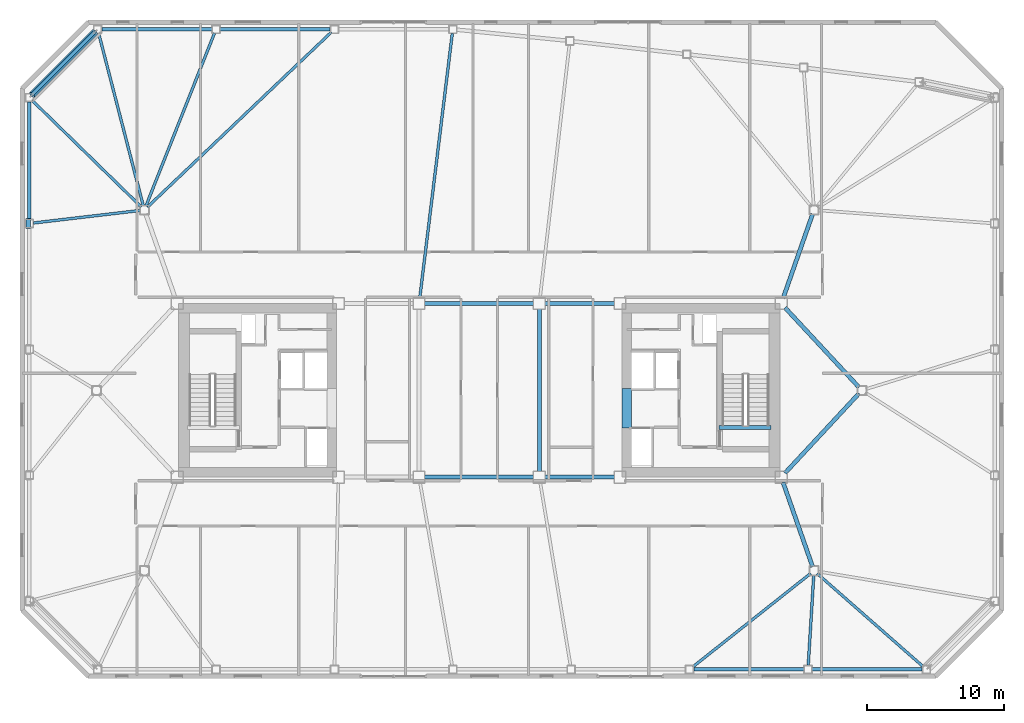
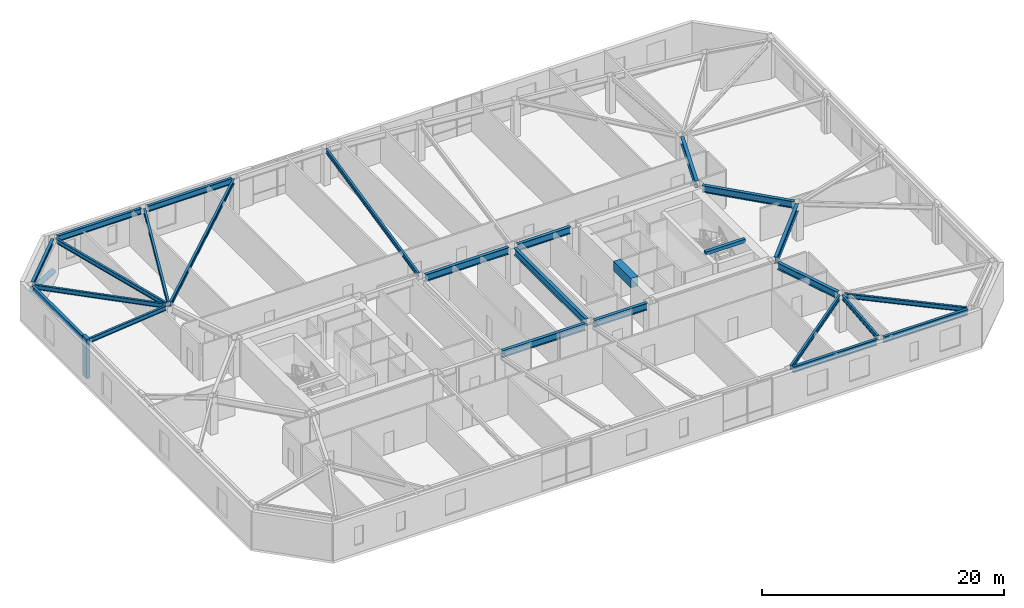
# One storey, part 5 of 18: 26 beams, 2 members.
"""IFC4 building model written with IfcOpenShell, lengths in metres."""

from ifc_helpers import new_model, si_unit, direction, frame, origin, origin_2d, place, context, subcontext, project, spatial, rectangle, hollow_circle, i_section, extrude, material, material_profile, profile_set, type_object, element, save


model = new_model("IFC4")

# Units and contexts
model_context = context("Model", 3, precision=1e-05, world=origin(), true_north=direction((0.0, 1.0)))
body_context = subcontext(model_context, "Body", "Model", "MODEL_VIEW")
ifc_project = project(units=[si_unit("LENGTHUNIT", "METRE"), si_unit("AREAUNIT", "SQUARE_METRE"), si_unit("VOLUMEUNIT", "CUBIC_METRE"), si_unit("PLANEANGLEUNIT", "RADIAN"), si_unit("MASSUNIT", "GRAM", prefix="KILO")], contexts=[model_context])

# Site, building, storey
site_placement = place(None, origin())
site = spatial("IfcSite", under=ifc_project, at=site_placement, CompositionType="ELEMENT")
building_placement = place(site_placement, origin())
building = spatial("IfcBuilding", under=site, at=building_placement, Name="Tavrogorsk Clinical Tower", CompositionType="ELEMENT")
storey_placement = place(building_placement, frame((0.0, 0.0, 196.199951171875)))
storey = spatial("IfcBuildingStorey", under=building, at=storey_placement, Name="L45", CompositionType="ELEMENT", Elevation=196.199951171875)

# Beam
ifc_material_1 = material(Name="Concrete B80", Category="concrete")
ifc_material_profile_1 = material_profile(ifc_material_1, rectangle(XDim=0.699951171875, YDim=0.949951171875, at=origin_2d()), Name="RC-CB-700x950")
ifc_profile_set_1 = profile_set([ifc_material_profile_1], Name="Concrete B80")
beam_type_1 = type_object("IfcBeamType", Name="CouplingBeam_RC700x950", PredefinedType="LINTEL", material=ifc_profile_set_1)
beam_1_placement = place(storey_placement, frame((10.800048828125, -2.75, 3.26513671875), z_axis=(0.0, 1.0, 0.0), x_axis=(-1.0, 0.0, 0.0)))
element("IfcBeam", 1, at=beam_1_placement, inside=storey, type_object=beam_type_1, Name="L45 Core East Coupling Beam", PredefinedType="LINTEL", context=body_context, shape_type="SweptSolid", body=[
    extrude(rectangle(XDim=0.699951171875, YDim=0.949951171875, at=origin_2d()), origin(), (0.0, 0.0, 1.0), 2.89990234375),
])

# Member
ifc_material_2 = material(Name="Structural steel S440", Category="steel")
ifc_material_profile_2 = material_profile(ifc_material_2, hollow_circle(Radius=0.25390625, WallThickness=0.02001953125, at=origin_2d()), Name="CHS-508x20")
ifc_profile_set_2 = profile_set([ifc_material_profile_2], Name="Structural steel S440")
member_type_1 = type_object("IfcMemberType", Name="ExoBrace_CHS508", PredefinedType="BRACE", material=ifc_profile_set_2)
member_1_placement = place(storey_placement, frame((-28.12255859375, 26.217529296875, 0.4130859375), z_axis=(-0.657758524103, -0.657758524103, 0.367025132572), x_axis=(0.707106781187, -0.707106781187, 0.0)))
element("IfcMember", 2, at=member_1_placement, inside=storey, type_object=member_type_1, Name="L45 Corner Exoskeleton Brace N8-W1", PredefinedType="BRACE", context=body_context, shape_type="SweptSolid", body=[
    extrude(hollow_circle(Radius=0.25390625, WallThickness=0.02001953125, at=origin_2d()), origin(), (0.0, 0.0, 1.0), 6.98583984375),
])

# Beams
ifc_material_3 = material(Name="Structural steel S355", Category="steel")
ifc_material_profile_3 = material_profile(ifc_material_3, i_section(OverallWidth=0.199951171875, OverallDepth=0.449951171875, WebThickness=0.011474609375, FlangeThickness=0.01806640625, at=origin_2d()), Name="B-450x200x11.5x18")
ifc_profile_set_3 = profile_set([ifc_material_profile_3], Name="Structural steel S355")
beam_type_2 = type_object("IfcBeamType", Name="FloorBeam_B450", PredefinedType="BEAM", material=ifc_profile_set_3)
beam_2_placement = place(storey_placement, frame((24.257080078125, -13.392578125, 3.51513671875), z_axis=(-0.783561002819, -0.621314859682, 0.0), x_axis=(0.621314859682, -0.783561002819, 0.0)))
element("IfcBeam", 3, at=beam_2_placement, inside=storey, type_object=beam_type_2, Name="L45 Radial Floor Beam S6", PredefinedType="BEAM", context=body_context, shape_type="SweptSolid", body=[
    extrude(i_section(OverallWidth=0.199951171875, OverallDepth=0.449951171875, WebThickness=0.011474609375, FlangeThickness=0.01806640625, at=origin_2d()), origin(), (0.0, 0.0, 1.0), 11.002685546875),
])
beam_3_placement = place(storey_placement, frame((24.48095703125, -13.509521484375, 3.51513671875), z_axis=(-0.061224865528, -0.998123998229, 0.0), x_axis=(0.998123998229, -0.061224865528, 0.0)))
element("IfcBeam", 4, at=beam_3_placement, inside=storey, type_object=beam_type_2, Name="L45 Radial Floor Beam S7", PredefinedType="BEAM", context=body_context, shape_type="SweptSolid", body=[
    extrude(i_section(OverallWidth=0.199951171875, OverallDepth=0.449951171875, WebThickness=0.011474609375, FlangeThickness=0.01806640625, at=origin_2d()), origin(), (0.0, 0.0, 1.0), 6.615478515625),
])
beam_4_placement = place(storey_placement, frame((24.73291015625, -13.404541015625, 3.51513671875), z_axis=(0.751322664981, -0.659935037019, 0.0), x_axis=(0.659935037019, 0.751322664981, 0.0)))
element("IfcBeam", 5, at=beam_4_placement, inside=storey, type_object=beam_type_2, Name="L45 Radial Floor Beam S8", PredefinedType="BEAM", context=body_context, shape_type="SweptSolid", body=[
    extrude(i_section(OverallWidth=0.199951171875, OverallDepth=0.449951171875, WebThickness=0.011474609375, FlangeThickness=0.01806640625, at=origin_2d()), origin(), (0.0, 0.0, 1.0), 10.322509765625),
])
beam_5_placement = place(storey_placement, frame((-4.349853515625, 6.7568359375, 3.51513671875), z_axis=(0.122074764034, 0.992520907581, 0.0), x_axis=(-0.992520907581, 0.122074764034, 0.0)))
element("IfcBeam", 6, at=beam_5_placement, inside=storey, type_object=beam_type_2, Name="L45 Radial Floor Beam N5", PredefinedType="BEAM", context=body_context, shape_type="SweptSolid", body=[
    extrude(i_section(OverallWidth=0.199951171875, OverallDepth=0.449951171875, WebThickness=0.011474609375, FlangeThickness=0.01806640625, at=origin_2d()), origin(), (0.0, 0.0, 1.0), 19.503173828125),
])
beam_6_placement = place(storey_placement, frame((-24.275390625, 13.41357421875, 3.51513671875), z_axis=(0.724748919983, 0.689013064451, 0.0), x_axis=(-0.689013064451, 0.724748919983, 0.0)))
element("IfcBeam", 7, at=beam_6_placement, inside=storey, type_object=beam_type_2, Name="L45 Radial Floor Beam N6", PredefinedType="BEAM", context=body_context, shape_type="SweptSolid", body=[
    extrude(i_section(OverallWidth=0.199951171875, OverallDepth=0.449951171875, WebThickness=0.011474609375, FlangeThickness=0.01806640625, at=origin_2d()), origin(), (0.0, 0.0, 1.0), 18.56884765625),
])
beam_7_placement = place(storey_placement, frame((-24.3857421875, 13.48828125, 3.51513671875), z_axis=(0.368659944508, 0.929564330918, 0.0), x_axis=(-0.929564330918, 0.368659944508, 0.0)))
element("IfcBeam", 8, at=beam_7_placement, inside=storey, type_object=beam_type_2, Name="L45 Radial Floor Beam N7", PredefinedType="BEAM", context=body_context, shape_type="SweptSolid", body=[
    extrude(i_section(OverallWidth=0.199951171875, OverallDepth=0.449951171875, WebThickness=0.011474609375, FlangeThickness=0.01806640625, at=origin_2d()), origin(), (0.0, 0.0, 1.0), 13.603759765625),
])
beam_8_placement = place(storey_placement, frame((-24.57763671875, 13.5, 3.51513671875), z_axis=(-0.250445465048, 0.968130708653, 0.0), x_axis=(-0.968130708653, -0.250445465048, 0.0)))
element("IfcBeam", 9, at=beam_8_placement, inside=storey, type_object=beam_type_2, Name="L45 Radial Floor Beam N8", PredefinedType="BEAM", context=body_context, shape_type="SweptSolid", body=[
    extrude(i_section(OverallWidth=0.199951171875, OverallDepth=0.449951171875, WebThickness=0.011474609375, FlangeThickness=0.01806640625, at=origin_2d()), origin(), (0.0, 0.0, 1.0), 13.037353515625),
])
beam_9_placement = place(storey_placement, frame((-24.721923828125, 13.41650390625, 3.51513671875), z_axis=(-0.715552053538, 0.698559416712, 0.0), x_axis=(-0.698559416712, -0.715552053538, 0.0)))
element("IfcBeam", 10, at=beam_9_placement, inside=storey, type_object=beam_type_2, Name="L45 Radial Floor Beam W1", PredefinedType="BEAM", context=body_context, shape_type="SweptSolid", body=[
    extrude(i_section(OverallWidth=0.199951171875, OverallDepth=0.449951171875, WebThickness=0.011474609375, FlangeThickness=0.01806640625, at=origin_2d()), origin(), (0.0, 0.0, 1.0), 11.149169921875),
])
beam_10_placement = place(storey_placement, frame((-24.807861328125, 13.163818359375, 3.51513671875), z_axis=(-0.993156539687, -0.116790785927, 0.0), x_axis=(0.116790785927, -0.993156539687, 0.0)))
element("IfcBeam", 11, at=beam_10_placement, inside=storey, type_object=beam_type_2, Name="L45 Radial Floor Beam W2", PredefinedType="BEAM", context=body_context, shape_type="SweptSolid", body=[
    extrude(i_section(OverallWidth=0.199951171875, OverallDepth=0.449951171875, WebThickness=0.011474609375, FlangeThickness=0.01806640625, at=origin_2d()), origin(), (0.0, 0.0, 1.0), 7.85986328125),
])

# Member
ifc_material_4 = material(Name="Precast concrete B45 with limestone cladding", Category="masonry")
ifc_material_profile_4 = material_profile(ifc_material_4, rectangle(XDim=0.320068359375, YDim=0.719970703125, at=origin_2d()), Name="LIMESTONE-FIN-320x720")
ifc_profile_set_4 = profile_set([ifc_material_profile_4], Name="Precast concrete B45 with limestone cladding")
member_type_2 = type_object("IfcMemberType", Name="LimestonePleatFin_320x720", PredefinedType="USERDEFINED", material=ifc_profile_set_4)
member_2_placement = place(storey_placement, frame((-33.0, 12.2099609375, 0.0), z_axis=(0.0, 0.0, 1.0), x_axis=(1.0, 0.0, 0.0)))
element("IfcMember", 12, at=member_2_placement, inside=storey, type_object=member_type_2, Name="L45 W Pleated Stone Fin 1", ObjectType="FIN", PredefinedType="USERDEFINED", context=body_context, shape_type="SweptSolid", body=[
    extrude(rectangle(XDim=0.320068359375, YDim=0.719970703125, at=origin_2d()), origin(), (0.0, 0.0, 1.0), 4.0),
])

# Beams
ifc_material_5 = material(Name="Structural steel S390", Category="steel")
ifc_material_profile_5 = material_profile(ifc_material_5, i_section(OverallWidth=0.300048828125, OverallDepth=0.699951171875, WebThickness=0.01708984375, FlangeThickness=0.028076171875, at=origin_2d()), Name="B-700x300x17x28")
ifc_profile_set_5 = profile_set([ifc_material_profile_5], Name="Structural steel S390")
beam_type_3 = type_object("IfcBeamType", Name="PrimaryGirder_B700", PredefinedType="USERDEFINED", material=ifc_profile_set_5)
for number, where, z_axis, x_axis, name in (
    (13, (-3.989990234375, -6.35009765625, 3.39013671875), (1.0, 0.0, 0.0), (0.0, 1.0, 0.0), "L45 Primary Spine Girder MG-03"),
    (14, (-3.989990234375, 6.35009765625, 3.39013671875), (1.0, 0.0, 0.0), (0.0, 1.0, 0.0), "L45 Primary Spine Girder MG-04"),
):
    element("IfcBeam", number, at=place(storey_placement, frame(where, z_axis=z_axis, x_axis=x_axis)), inside=storey, type_object=beam_type_3, Name=name, ObjectType="GIRDER", PredefinedType="USERDEFINED", context=body_context, shape_type="SweptSolid", body=[
        extrude(i_section(OverallWidth=0.300048828125, OverallDepth=0.699951171875, WebThickness=0.01708984375, FlangeThickness=0.028076171875, at=origin_2d()), origin(), (0.0, 0.0, 1.0), 7.97998046875),
    ])
for number, where, z_axis, x_axis, name in (
    (15, (4.81005859375, -6.35009765625, 3.39013671875), (1.0, 0.0, 0.0), (0.0, 1.0, 0.0), "L45 Primary Spine Girder MG-05"),
    (16, (4.81005859375, 6.35009765625, 3.39013671875), (1.0, 0.0, 0.0), (0.0, 1.0, 0.0), "L45 Primary Spine Girder MG-06"),
):
    element("IfcBeam", number, at=place(storey_placement, frame(where, z_axis=z_axis, x_axis=x_axis)), inside=storey, type_object=beam_type_3, Name=name, ObjectType="GIRDER", PredefinedType="USERDEFINED", context=body_context, shape_type="SweptSolid", body=[
        extrude(i_section(OverallWidth=0.300048828125, OverallDepth=0.699951171875, WebThickness=0.01708984375, FlangeThickness=0.028076171875, at=origin_2d()), origin(), (0.0, 0.0, 1.0), 5.079833984375),
    ])
beam_11_placement = place(storey_placement, frame((4.39990234375, -5.93994140625, 3.39013671875), z_axis=(0.0, 1.0, 0.0), x_axis=(-1.0, 0.0, 0.0)))
element("IfcBeam", 17, at=beam_11_placement, inside=storey, type_object=beam_type_3, Name="L45 Primary Spine Girder MG-08", ObjectType="GIRDER", PredefinedType="USERDEFINED", context=body_context, shape_type="SweptSolid", body=[
    extrude(i_section(OverallWidth=0.300048828125, OverallDepth=0.699951171875, WebThickness=0.01708984375, FlangeThickness=0.028076171875, at=origin_2d()), origin(), (0.0, 0.0, 1.0), 11.8798828125),
])
for number, where, z_axis, x_axis, name in (
    (18, (24.3974609375, -12.907470703125, 3.39013671875), (-0.33065312634, 0.94375235631, 0.0), (-0.94375235631, -0.33065312634, 0.0), "L45 Spine Link Girder OPG-2"),
    (19, (24.3974609375, 12.907470703125, 3.39013671875), (-0.33065312634, -0.94375235631, 0.0), (0.94375235631, -0.33065312634, 0.0), "L45 Spine Link Girder OPG-4"),
):
    element("IfcBeam", number, at=place(storey_placement, frame(where, z_axis=z_axis, x_axis=x_axis)), inside=storey, type_object=beam_type_3, Name=name, ObjectType="GIRDER", PredefinedType="USERDEFINED", context=body_context, shape_type="SweptSolid", body=[
        extrude(i_section(OverallWidth=0.300048828125, OverallDepth=0.699951171875, WebThickness=0.01708984375, FlangeThickness=0.028076171875, at=origin_2d()), origin(), (0.0, 0.0, 1.0), 6.5380859375),
    ])
for number, where, z_axis, x_axis, name in (
    (20, (27.7890625, -0.22705078125, 3.39013671875), (-0.680673750312, -0.732586681312, 0.0), (0.732586681312, -0.680673750312, 0.0), "L45 Spine Link Girder OPG-7"),
    (21, (27.7890625, 0.22705078125, 3.39013671875), (-0.680673750312, 0.732586681312, 0.0), (-0.732586681312, -0.680673750312, 0.0), "L45 Spine Link Girder OPG-8"),
):
    element("IfcBeam", number, at=place(storey_placement, frame(where, z_axis=z_axis, x_axis=x_axis)), inside=storey, type_object=beam_type_3, Name=name, ObjectType="GIRDER", PredefinedType="USERDEFINED", context=body_context, shape_type="SweptSolid", body=[
        extrude(i_section(OverallWidth=0.300048828125, OverallDepth=0.699951171875, WebThickness=0.01708984375, FlangeThickness=0.028076171875, at=origin_2d()), origin(), (0.0, 0.0, 1.0), 7.947998046875),
    ])
ifc_material_6 = material(Name="Structural steel S390", Category="steel")
ifc_material_profile_6 = material_profile(ifc_material_6, i_section(OverallWidth=0.260009765625, OverallDepth=0.60009765625, WebThickness=0.014892578125, FlangeThickness=0.02392578125, at=origin_2d()), Name="B-600x260x15x24")
ifc_profile_set_6 = profile_set([ifc_material_profile_6], Name="Structural steel S390")
beam_type_4 = type_object("IfcBeamType", Name="SpandrelBeam_B600", PredefinedType="SPANDREL", material=ifc_profile_set_6)
beam_12_placement = place(storey_placement, frame((15.702392578125, -20.419921875, 3.43994140625), z_axis=(1.0, 0.0, 0.0), x_axis=(0.0, 1.0, 0.0)))
element("IfcBeam", 22, at=beam_12_placement, inside=storey, type_object=beam_type_4, Name="L45 Perimeter Spandrel S6-S7", PredefinedType="SPANDREL", context=body_context, shape_type="SweptSolid", body=[
    extrude(i_section(OverallWidth=0.260009765625, OverallDepth=0.60009765625, WebThickness=0.014892578125, FlangeThickness=0.02392578125, at=origin_2d()), origin(), (0.0, 0.0, 1.0), 8.046630859375),
])
beam_13_placement = place(storey_placement, frame((24.364990234375, -20.419921875, 3.43994140625), z_axis=(1.0, 0.0, 0.0), x_axis=(0.0, 1.0, 0.0)))
element("IfcBeam", 23, at=beam_13_placement, inside=storey, type_object=beam_type_4, Name="L45 Perimeter Spandrel S7-S8", PredefinedType="SPANDREL", context=body_context, shape_type="SweptSolid", body=[
    extrude(i_section(OverallWidth=0.260009765625, OverallDepth=0.60009765625, WebThickness=0.014892578125, FlangeThickness=0.02392578125, at=origin_2d()), origin(), (0.0, 0.0, 1.0), 8.047119140625),
])
for number, where, z_axis, x_axis, name in (
    (24, (-10.90234375, 26.419921875, 3.43994140625), (-1.0, 0.0, 0.0), (0.0, -1.0, 0.0), "L45 Perimeter Spandrel N6-N7"),
    (25, (-19.565185546875, 26.419921875, 3.43994140625), (-1.0, 0.0, 0.0), (0.0, -1.0, 0.0), "L45 Perimeter Spandrel N7-N8"),
):
    element("IfcBeam", number, at=place(storey_placement, frame(where, z_axis=z_axis, x_axis=x_axis)), inside=storey, type_object=beam_type_4, Name=name, PredefinedType="SPANDREL", context=body_context, shape_type="SweptSolid", body=[
        extrude(i_section(OverallWidth=0.260009765625, OverallDepth=0.60009765625, WebThickness=0.014892578125, FlangeThickness=0.02392578125, at=origin_2d()), origin(), (0.0, 0.0, 1.0), 8.046875),
    ])
beam_14_placement = place(storey_placement, frame((-28.1376953125, 26.2021484375, 3.43994140625), z_axis=(-0.707106781187, -0.707106781187, 0.0), x_axis=(0.707106781187, -0.707106781187, 0.0)))
element("IfcBeam", 26, at=beam_14_placement, inside=storey, type_object=beam_type_4, Name="L45 Perimeter Spandrel N8-W1", PredefinedType="SPANDREL", context=body_context, shape_type="SweptSolid", body=[
    extrude(i_section(OverallWidth=0.260009765625, OverallDepth=0.60009765625, WebThickness=0.014892578125, FlangeThickness=0.02392578125, at=origin_2d()), origin(), (0.0, 0.0, 1.0), 6.455078125),
])
beam_15_placement = place(storey_placement, frame((-32.919921875, 21.112060546875, 3.43994140625), z_axis=(0.0, -1.0, 0.0), x_axis=(1.0, 0.0, 0.0)))
element("IfcBeam", 27, at=beam_15_placement, inside=storey, type_object=beam_type_4, Name="L45 Perimeter Spandrel W1-W2", PredefinedType="SPANDREL", context=body_context, shape_type="SweptSolid", body=[
    extrude(i_section(OverallWidth=0.260009765625, OverallDepth=0.60009765625, WebThickness=0.014892578125, FlangeThickness=0.02392578125, at=origin_2d()), origin(), (0.0, 0.0, 1.0), 8.593994140625),
])
ifc_material_7 = material(Name="Concrete B60", Category="concrete")
ifc_material_profile_7 = material_profile(ifc_material_7, rectangle(XDim=0.300048828125, YDim=0.35009765625, at=origin_2d()), Name="RC-SHB-300x350")
ifc_profile_set_7 = profile_set([ifc_material_profile_7], Name="Concrete B60")
beam_type_5 = type_object("IfcBeamType", Name="StairHeaderBeam_RC300x350", PredefinedType="BEAM", material=ifc_profile_set_7)
beam_16_placement = place(storey_placement, frame((17.550048828125, -2.719970703125, 3.824951171875), z_axis=(1.0, 0.0, 0.0), x_axis=(0.0, 1.0, 0.0)))
element("IfcBeam", 28, at=beam_16_placement, inside=storey, type_object=beam_type_5, Name="L46 ST-E Landing Header Beam", PredefinedType="BEAM", context=body_context, shape_type="SweptSolid", body=[
    extrude(rectangle(XDim=0.300048828125, YDim=0.35009765625, at=origin_2d()), origin(), (0.0, 0.0, 1.0), 3.800048828125),
])

save(model, "model.ifc")
